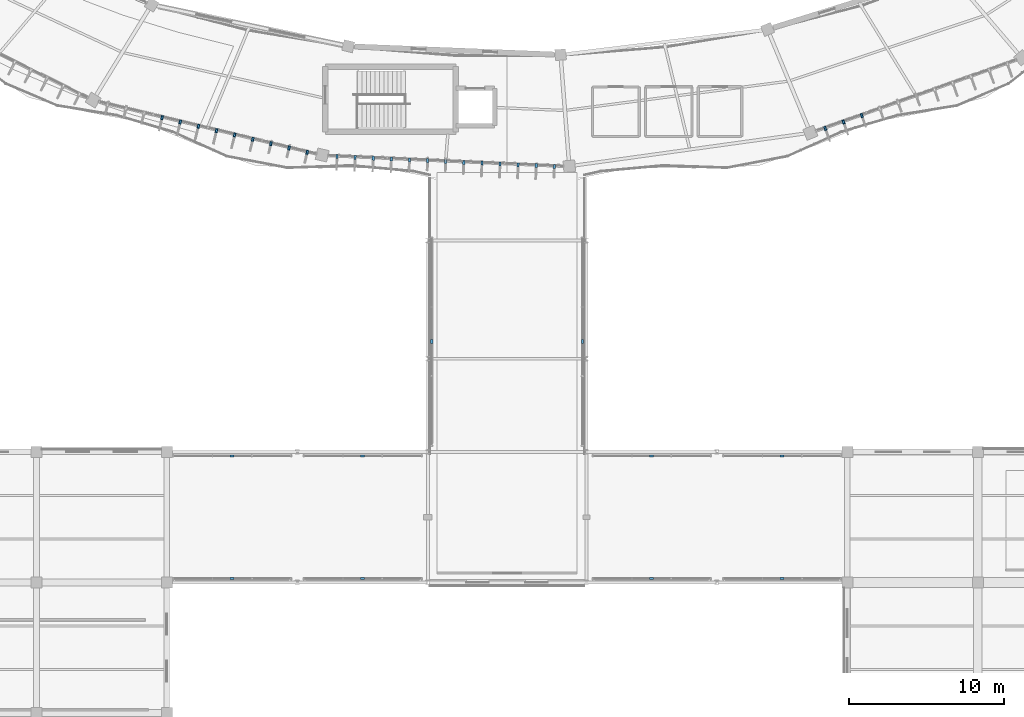
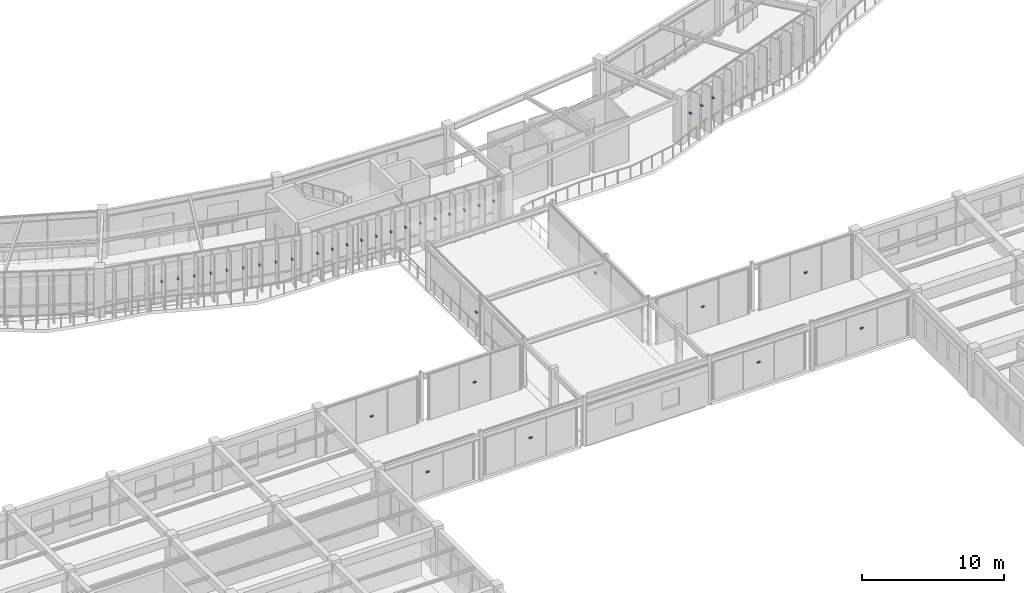
# One storey, part 132 of 152: 35 discrete accessories.
"""IFC4 building model written with IfcOpenShell, lengths in metres."""

from ifc_helpers import new_model, si_unit, direction, frame, origin, origin_2d, place, context, subcontext, project, spatial, rectangle, extrude, material, type_object, element, save


model = new_model("IFC4")

# Units and contexts
model_context = context("Model", 3, precision=1e-05, world=origin(), true_north=direction((0.0, 1.0)))
body_context = subcontext(model_context, "Body", "Model", "MODEL_VIEW")
ifc_project = project(units=[si_unit("LENGTHUNIT", "METRE"), si_unit("AREAUNIT", "SQUARE_METRE"), si_unit("VOLUMEUNIT", "CUBIC_METRE"), si_unit("PLANEANGLEUNIT", "RADIAN"), si_unit("MASSUNIT", "GRAM", prefix="KILO"), si_unit("THERMODYNAMICTEMPERATUREUNIT", "KELVIN"), si_unit("POWERUNIT", "WATT")], contexts=[model_context])

# Site, building, storey
site_placement = place(None, origin())
site = spatial("IfcSite", under=ifc_project, at=site_placement, CompositionType="ELEMENT")
building_placement = place(site_placement, origin())
building = spatial("IfcBuilding", under=site, at=building_placement, Name="Darbajah Civic Hall", CompositionType="ELEMENT")
storey_placement = place(building_placement, frame((0.0, 0.0, 5.39990234375)))
storey = spatial("IfcBuildingStorey", under=building, at=storey_placement, Name="L01", CompositionType="ELEMENT", Elevation=5.39990234375)

# Discrete accessories
ifc_material = material(Name="Stainless Steel S355JR", Category="steel")
discrete_accessory_type = type_object("IfcDiscreteAccessoryType", Name="Stainless Facade Support Bracket", PredefinedType="BRACKET", material=ifc_material)
for number, where, z_axis, x_axis, name in (
    (1, (66.89111328125, 63.52197265625, 1.89013671875), (0.0, 0.0, 1.0), (-0.232936200179, -0.972492018808, 0.0), "L01 shading fin bracket 13-4"),
    (2, (68.058349609375, 63.2421875, 1.89013671875), (0.0, 0.0, 1.0), (-0.232936200179, -0.972492018808, 0.0), "L01 shading fin bracket 13-5"),
    (3, (69.225830078125, 62.962646484375, 1.89013671875), (0.0, 0.0, 1.0), (-0.232936200179, -0.972492018808, 0.0), "L01 shading fin bracket 13-6"),
    (4, (70.393310546875, 62.682861328125, 1.89013671875), (0.0, 0.0, 1.0), (-0.232936200179, -0.972492018808, 0.0), "L01 shading fin bracket 13-7"),
    (5, (71.560546875, 62.4033203125, 1.89013671875), (0.0, 0.0, 1.0), (-0.232936200179, -0.972492018808, 0.0), "L01 shading fin bracket 13-8"),
    (6, (72.727783203125, 62.12353515625, 1.89013671875), (0.0, 0.0, 1.0), (-0.232936200179, -0.972492018808, 0.0), "L01 shading fin bracket 13-9"),
    (7, (73.895263671875, 61.84375, 1.89013671875), (0.0, 0.0, 1.0), (-0.232936200179, -0.972492018808, 0.0), "L01 shading fin bracket 13-10"),
    (8, (75.062744140625, 61.564208984375, 1.89013671875), (0.0, 0.0, 1.0), (-0.232936200179, -0.972492018808, 0.0), "L01 shading fin bracket 13-11"),
    (9, (76.22998046875, 61.284423828125, 1.89013671875), (0.0, 0.0, 1.0), (-0.232936200179, -0.972492018808, 0.0), "L01 shading fin bracket 13-12"),
    (10, (78.15087890625, 61.011474609375, 1.89013671875), (0.0, 0.0, 1.0), (-0.045537340693, -0.998962637241, 0.0), "L01 shading fin bracket 14-1"),
    (11, (79.316650390625, 60.95849609375, 1.89013671875), (0.0, 0.0, 1.0), (-0.045537340693, -0.998962637241, 0.0), "L01 shading fin bracket 14-2"),
    (12, (80.482421875, 60.905517578125, 1.89013671875), (0.0, 0.0, 1.0), (-0.045537340693, -0.998962637241, 0.0), "L01 shading fin bracket 14-3"),
    (13, (81.648193359375, 60.852294921875, 1.89013671875), (0.0, 0.0, 1.0), (-0.045537340693, -0.998962637241, 0.0), "L01 shading fin bracket 14-4"),
    (14, (82.813720703125, 60.79931640625, 1.89013671875), (0.0, 0.0, 1.0), (-0.045537340693, -0.998962637241, 0.0), "L01 shading fin bracket 14-5"),
    (15, (83.9794921875, 60.74609375, 1.89013671875), (0.0, 0.0, 1.0), (-0.045537340693, -0.998962637241, 0.0), "L01 shading fin bracket 14-6"),
    (16, (85.14501953125, 60.693115234375, 1.89013671875), (0.0, 0.0, 1.0), (-0.045537340693, -0.998962637241, 0.0), "L01 shading fin bracket 14-7"),
    (17, (86.310791015625, 60.639892578125, 1.89013671875), (0.0, 0.0, 1.0), (-0.045537340693, -0.998962637241, 0.0), "L01 shading fin bracket 14-8"),
    (18, (87.4765625, 60.5869140625, 1.89013671875), (0.0, 0.0, 1.0), (-0.045537340693, -0.998962637241, 0.0), "L01 shading fin bracket 14-9"),
    (19, (88.64208984375, 60.53369140625, 1.89013671875), (0.0, 0.0, 1.0), (-0.045537340693, -0.998962637241, 0.0), "L01 shading fin bracket 14-10"),
    (20, (89.807861328125, 60.480712890625, 1.89013671875), (0.0, 0.0, 1.0), (-0.045537340693, -0.998962637241, 0.0), "L01 shading fin bracket 14-11"),
    (21, (90.973388671875, 60.427734375, 1.89013671875), (0.0, 0.0, 1.0), (-0.045537340693, -0.998962637241, 0.0), "L01 shading fin bracket 14-12"),
    (22, (92.13916015625, 60.37451171875, 1.89013671875), (0.0, 0.0, 1.0), (-0.045537340693, -0.998962637241, 0.0), "L01 shading fin bracket 14-13"),
    (23, (109.578369140625, 62.82275390625, 1.89013671875), (0.0, 0.0, 1.0), (0.334135882844, -0.94252491309, 0.0), "L01 shading fin bracket 16-1"),
    (24, (110.75048828125, 63.23828125, 1.89013671875), (0.0, 0.0, 1.0), (0.334135882844, -0.94252491309, 0.0), "L01 shading fin bracket 16-2"),
    (25, (111.9228515625, 63.65380859375, 1.89013671875), (0.0, 0.0, 1.0), (0.334135882844, -0.94252491309, 0.0), "L01 shading fin bracket 16-3"),
    (26, (71.39990234375, 33.85009765625, 1.89501953125), (0.0, 0.0, 1.0), (1.0, 0.0, 0.0), "L01 jali screen bracket SW-S"),
    (27, (79.800048828125, 33.85009765625, 1.89501953125), (0.0, 0.0, 1.0), (1.0, 0.0, 0.0), "L01 jali screen bracket SW-S2"),
    (28, (71.39990234375, 41.75, 1.89501953125), (0.0, 0.0, 1.0), (1.0, 0.0, 0.0), "L01 jali screen bracket SW-N"),
    (29, (79.800048828125, 41.75, 1.89501953125), (0.0, 0.0, 1.0), (1.0, 0.0, 0.0), "L01 jali screen bracket SW-N2"),
    (30, (98.39990234375, 33.85009765625, 1.89501953125), (0.0, 0.0, 1.0), (1.0, 0.0, 0.0), "L01 jali screen bracket SE-S"),
    (31, (106.800048828125, 33.85009765625, 1.89501953125), (0.0, 0.0, 1.0), (1.0, 0.0, 0.0), "L01 jali screen bracket SE-S2"),
    (32, (98.39990234375, 41.75, 1.89501953125), (0.0, 0.0, 1.0), (1.0, 0.0, 0.0), "L01 jali screen bracket SE-N"),
    (33, (106.800048828125, 41.75, 1.89501953125), (0.0, 0.0, 1.0), (1.0, 0.0, 0.0), "L01 jali screen bracket SE-N2"),
    (34, (84.25, 49.10009765625, 1.89501953125), (0.0, 0.0, 1.0), (0.0, 1.0, 0.0), "L01 jali screen bracket PW"),
    (35, (93.949951171875, 49.10009765625, 1.89501953125), (0.0, 0.0, 1.0), (0.0, 1.0, 0.0), "L01 jali screen bracket PE"),
):
    element("IfcDiscreteAccessory", number, at=place(storey_placement, frame(where, z_axis=z_axis, x_axis=x_axis)), inside=storey, type_object=discrete_accessory_type, Name=name, PredefinedType="BRACKET", context=body_context, shape_type="SweptSolid", body=[
        extrude(rectangle(XDim=0.260009765625, YDim=0.139892578125, at=origin_2d()), origin(), (0.0, 0.0, 1.0), 0.139892578125),
    ])

save(model, "model.ifc")
